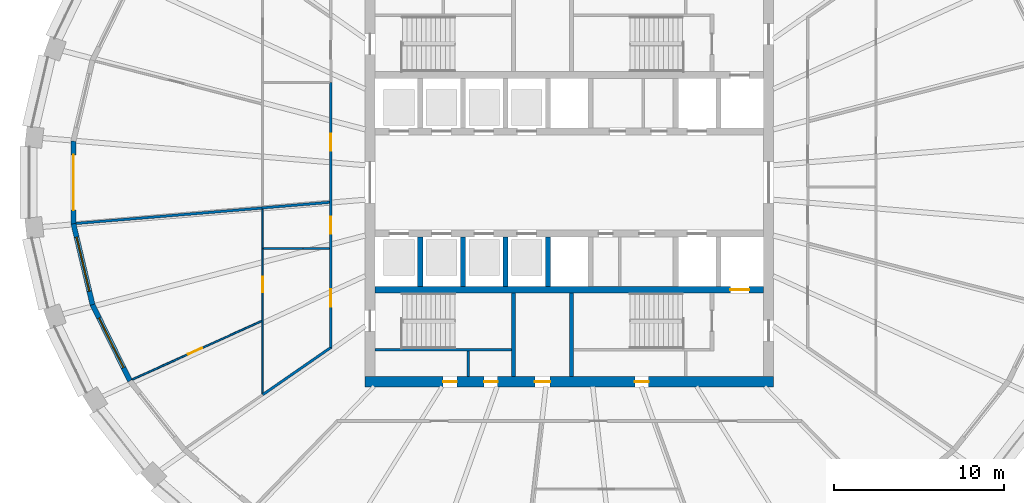
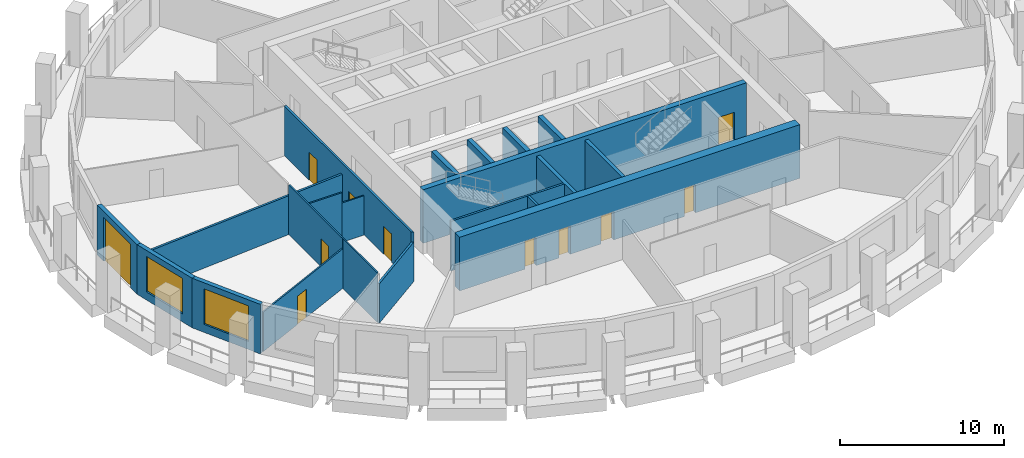
# One storey, part 3 of 11: 21 walls, 11 doors, 2 windows, 13 openings.
"""IFC4 building model written with IfcOpenShell, lengths in metres."""

from ifc_helpers import new_model, si_unit, direction, frame, frame_2d, origin, place, context, subcontext, project, spatial, polyline, rectangle, outline, extrude, material, layer, layer_set, type_object, element, fill, save


model = new_model("IFC4")

# Units and contexts
model_context = context("Model", 3, precision=1e-05, world=origin(), true_north=direction((0.0, 1.0)))
body_context = subcontext(model_context, "Body", "Model", "MODEL_VIEW")
ifc_project = project(units=[si_unit("LENGTHUNIT", "METRE"), si_unit("AREAUNIT", "SQUARE_METRE"), si_unit("VOLUMEUNIT", "CUBIC_METRE"), si_unit("PLANEANGLEUNIT", "RADIAN"), si_unit("MASSUNIT", "GRAM", prefix="KILO")], contexts=[model_context])

# Site, building, storey
site_placement = place(None, origin())
site = spatial("IfcSite", under=ifc_project, at=site_placement, CompositionType="ELEMENT")
building_placement = place(site_placement, origin())
building = spatial("IfcBuilding", under=site, at=building_placement, Name="Halqa Exchange Tower", CompositionType="ELEMENT")
storey_placement = place(building_placement, frame((0.0, 0.0, 222.89990234375)))
storey = spatial("IfcBuildingStorey", under=building, at=storey_placement, Name="L51", CompositionType="ELEMENT", Elevation=222.89990234375)

# Walls
ifc_material_1 = material(Name="Fire-rated gypsum board")
ifc_layer_1 = layer(ifc_material_1, 0.14990234375)
ifc_layer_set_1 = layer_set([ifc_layer_1], Name="Fire-rated gypsum board")
wall_type_1 = type_object("IfcWallType", Name="Fire partition EI 60 150", PredefinedType="PARTITIONING", material=ifc_layer_set_1)
wall_1_placement = place(storey_placement, frame((-18.0, -12.4599609375, 0.0), z_axis=(0.0, 0.0, 1.0), x_axis=(0.822102584422, 0.56933938972, 0.0)))
element("IfcWall", 1, at=wall_1_placement, inside=storey, type_object=wall_type_1, Name="L51-PWL-004", PredefinedType="PARTITIONING", context=body_context, shape_type="SweptSolid", body=[
    extrude(outline(polyline([(0.0, -0.074951171875), (1.634765625, -0.074951171875), (3.269775390625, -0.074951171875), (4.904541015625, -0.074951171875), (4.826171875, 0.074951171875), (3.21728515625, 0.074951171875), (1.608642578125, 0.074951171875), (0.0, 0.074951171875), (0.0, -0.074951171875)])), origin(), (0.0, 0.0, 1.0), 2.947021484375),
])
wall_2_placement = place(storey_placement, frame((-18.04931640625, -1.504150390625, 0.0), z_axis=(0.0, 0.0, 1.0), x_axis=(-0.996601116086, -0.082378488796, 0.0)))
element("IfcWall", 2, at=wall_2_placement, inside=storey, type_object=wall_type_1, Name="L51-PWL-007", PredefinedType="PARTITIONING", context=body_context, shape_type="SweptSolid", body=[
    extrude(outline(polyline([(10.935791015625, -0.074951171875), (10.935791015625, 0.0439453125), (10.93115234375, 0.074951171875), (9.1103515625, 0.074951171875), (7.289794921875, 0.074951171875), (5.468994140625, 0.074951171875), (3.648193359375, 0.074951171875), (1.82763671875, 0.074951171875), (0.0068359375, 0.074951171875), (0.0068359375, 0.074462890625), (0.001953125, 0.074951171875), (0.0, 0.074951171875), (0.0, -0.074951171875), (1.82275390625, -0.074951171875), (3.645263671875, -0.074951171875), (5.4677734375, -0.074951171875), (7.29052734375, -0.074951171875), (9.11328125, -0.074951171875), (10.935791015625, -0.074951171875)])), origin(), (0.0, 0.0, 1.0), 2.900146484375),
])

# Wall, openings, doors
wall_3_placement = place(storey_placement, frame((-14.0, -9.729248046875, 0.0), z_axis=(0.0, 0.0, 1.0), x_axis=(0.0, 1.0, 0.0)))
wall_3 = element("IfcWall", 3, at=wall_3_placement, inside=storey, type_object=wall_type_1, Name="L51-PWL-011", PredefinedType="PARTITIONING", context=body_context, shape_type="SweptSolid", body=[
    extrude(outline(polyline([(15.58935546875, 0.074951171875), (13.650390625, 0.074951171875), (11.711669921875, 0.074951171875), (9.772705078125, 0.074951171875), (7.833984375, 0.074951171875), (5.89501953125, 0.074951171875), (3.956298828125, 0.074951171875), (2.017333984375, 0.074951171875), (0.07861328125, 0.074951171875), (0.0, -0.074951171875), (0.0, -0.074951171875), (1.94873046875, -0.074951171875), (3.8974609375, -0.074951171875), (5.845947265625, -0.074951171875), (7.794677734375, -0.074951171875), (9.743408203125, -0.074951171875), (11.69189453125, -0.074951171875), (13.640625, -0.074951171875), (15.58935546875, -0.074951171875), (15.58935546875, 0.074951171875)])), origin(), (0.0, 0.0, 1.0), 3.7001953125),
])
opening_1_placement = place(wall_3_placement, frame((11.579345703125, 0.0, 0.0)))
opening_1 = element("IfcOpeningElement", 4, at=opening_1_placement, cuts=wall_3, Name="Opening 15-05", PredefinedType="OPENING", context=body_context, shape_type="SweptSolid", body=[
    extrude(rectangle(XDim=1.0, YDim=2.10009765625, at=frame_2d((0.5, 1.050048828125))), frame((0.0, 0.0869140625, 0.0), z_axis=(0.0, -1.0, 0.0), x_axis=(1.0, 0.0, 0.0)), (0.0, 0.0, 1.0), 0.173828125),
])
opening_2_placement = place(wall_3_placement, frame((2.44921875, 0.0, 0.0)))
opening_2 = element("IfcOpeningElement", 5, at=opening_2_placement, cuts=wall_3, Name="Opening 15-06", PredefinedType="OPENING", context=body_context, shape_type="SweptSolid", body=[
    extrude(rectangle(XDim=1.0, YDim=2.10009765625, at=frame_2d((0.5, 1.050048828125))), frame((0.0, 0.0869140625, 0.0), z_axis=(0.0, -1.0, 0.0), x_axis=(1.0, 0.0, 0.0)), (0.0, 0.0, 1.0), 0.173828125),
])
opening_3_placement = place(wall_3_placement, frame((6.71435546875, 0.0, 0.0)))
opening_3 = element("IfcOpeningElement", 6, at=opening_3_placement, cuts=wall_3, Name="Opening 15-07", PredefinedType="OPENING", context=body_context, shape_type="SweptSolid", body=[
    extrude(rectangle(XDim=1.0, YDim=2.10009765625, at=frame_2d((0.5, 1.050048828125))), frame((0.0, 0.0869140625, 0.0), z_axis=(0.0, -1.0, 0.0), x_axis=(1.0, 0.0, 0.0)), (0.0, 0.0, 1.0), 0.173828125),
])
ifc_material_2 = material(Name="Steel fire door leaf", Category="steel")
door_type_1 = type_object("IfcDoorType", Name="Fire door FD30S 1000 x 2100", OperationType="SINGLE_SWING_LEFT", PredefinedType="DOOR", material=ifc_material_2)
door_1_placement = place(opening_1_placement, origin())
door_1 = element("IfcDoor", 7, at=door_1_placement, inside=storey, type_object=door_type_1, Name="L51-IDR-005", OperationType="SINGLE_SWING_LEFT", OverallHeight=2.10009765625, OverallWidth=1.0, PredefinedType="DOOR", context=body_context, shape_type="SweptSolid", body=[
    extrude(rectangle(XDim=1.0, YDim=2.10009765625, at=frame_2d((0.5, 1.050048828125))), frame((0.0, 0.02490234375, 0.0), z_axis=(0.0, -1.0, 0.0), x_axis=(1.0, 0.0, 0.0)), (0.0, 0.0, 1.0), 0.050048828125),
])
fill(opening_1, door_1)
door_2_placement = place(opening_2_placement, origin())
door_2 = element("IfcDoor", 8, at=door_2_placement, inside=storey, type_object=door_type_1, Name="L51-IDR-006", OperationType="SINGLE_SWING_LEFT", OverallHeight=2.10009765625, OverallWidth=1.0, PredefinedType="DOOR", context=body_context, shape_type="SweptSolid", body=[
    extrude(rectangle(XDim=1.0, YDim=2.10009765625, at=frame_2d((0.5, 1.050048828125))), frame((0.0, 0.02490234375, 0.0), z_axis=(0.0, -1.0, 0.0), x_axis=(1.0, 0.0, 0.0)), (0.0, 0.0, 1.0), 0.050048828125),
])
fill(opening_2, door_2)
door_3_placement = place(opening_3_placement, origin())
door_3 = element("IfcDoor", 9, at=door_3_placement, inside=storey, type_object=door_type_1, Name="L51-IDR-007", OperationType="SINGLE_SWING_LEFT", OverallHeight=2.10009765625, OverallWidth=1.0, PredefinedType="DOOR", context=body_context, shape_type="SweptSolid", body=[
    extrude(rectangle(XDim=1.0, YDim=2.10009765625, at=frame_2d((0.5, 1.050048828125))), frame((0.0, 0.02490234375, 0.0), z_axis=(0.0, -1.0, 0.0), x_axis=(1.0, 0.0, 0.0)), (0.0, 0.0, 1.0), 0.050048828125),
])
fill(opening_3, door_3)

# Wall
wall_4_placement = place(storey_placement, frame((-14.0693359375, -1.165771484375, 0.0), z_axis=(0.0, 0.0, 1.0), x_axis=(-0.996614549641, -0.082215810186, 0.0)))
element("IfcWall", 10, at=wall_4_placement, inside=storey, type_object=wall_type_1, Name="L51-PWL-012", PredefinedType="PARTITIONING", context=body_context, shape_type="SweptSolid", body=[
    extrude(outline(polyline([(0.0, -0.074951171875), (1.94384765625, -0.074951171875), (3.8876953125, -0.074951171875), (3.88818359375, -0.067138671875), (3.982421875, -0.074951171875), (3.993896484375, -0.074951171875), (3.993896484375, 0.074951171875), (2.0029296875, 0.074951171875), (0.011962890625, 0.074951171875), (0.0, -0.06884765625), (0.0, -0.074951171875)])), origin(), (0.0, 0.0, 1.0), 2.900146484375),
])

# Wall, opening, door
ifc_material_3 = material(Name="Gypsum board")
ifc_layer_2 = layer(ifc_material_3, 0.10009765625)
ifc_layer_set_2 = layer_set([ifc_layer_2], Name="Gypsum board")
wall_type_2 = type_object("IfcWallType", Name="Partition 100 gypsum", PredefinedType="PARTITIONING", material=ifc_layer_set_2)
wall_5_placement = place(storey_placement, frame((-18.0, -12.42138671875, 0.0), z_axis=(0.0, 0.0, 1.0), x_axis=(0.0, 1.0, 0.0)))
wall_5 = element("IfcWall", 11, at=wall_5_placement, inside=storey, type_object=wall_type_2, Name="L51-PWL-003", PredefinedType="PARTITIONING", context=body_context, shape_type="SweptSolid", body=[
    extrude(outline(polyline([(0.08740234375, -0.050048828125), (1.77001953125, -0.050048828125), (3.452880859375, -0.050048828125), (5.1357421875, -0.050048828125), (6.818603515625, -0.050048828125), (8.50146484375, -0.050048828125), (8.50146484375, -0.050048828125), (8.601318359375, -0.050048828125), (8.601318359375, -0.050048828125), (10.84228515625, -0.050048828125), (10.84228515625, 0.046142578125), (10.842041015625, 0.050048828125), (9.19140625, 0.050048828125), (7.541015625, 0.050048828125), (5.890380859375, 0.050048828125), (4.239990234375, 0.050048828125), (4.235107421875, 0.0478515625), (4.23388671875, 0.050048828125), (2.82275390625, 0.050048828125), (1.411376953125, 0.050048828125), (0.0, 0.050048828125), (0.0, 0.049560546875), (0.0107421875, 0.0341796875), (0.023193359375, 0.042724609375), (0.08740234375, -0.050048828125)])), origin(), (0.0, 0.0, 1.0), 3.7001953125),
])
opening_4_placement = place(wall_5_placement, frame((5.9814453125, 0.0, 0.0)))
opening_4 = element("IfcOpeningElement", 12, at=opening_4_placement, cuts=wall_5, Name="Opening 15-17", PredefinedType="OPENING", context=body_context, shape_type="SweptSolid", body=[
    extrude(rectangle(XDim=0.89990234375, YDim=2.10009765625, at=frame_2d((0.449951171875, 1.050048828125))), frame((0.0, 0.06201171875, 0.0), z_axis=(0.0, -1.0, 0.0), x_axis=(1.0, 0.0, 0.0)), (0.0, 0.0, 1.0), 0.1240234375),
])
ifc_material_4 = material(Name="Timber door leaf", Category="wood")
door_type_2 = type_object("IfcDoorType", Name="Door 900 x 2100", OperationType="SINGLE_SWING_LEFT", PredefinedType="DOOR", material=ifc_material_4)
door_4_placement = place(opening_4_placement, frame((0.89990234375, 0.0, 0.0), z_axis=(0.0, 0.0, 1.0), x_axis=(-1.0, 0.0, 0.0)))
door_4 = element("IfcDoor", 13, at=door_4_placement, inside=storey, type_object=door_type_2, Name="L51-IDR-017", OperationType="SINGLE_SWING_RIGHT", OverallHeight=2.10009765625, OverallWidth=0.89990234375, PredefinedType="DOOR", context=body_context, shape_type="SweptSolid", body=[
    extrude(rectangle(XDim=0.89990234375, YDim=2.10009765625, at=frame_2d((0.449951171875, 1.050048828125))), frame((0.0, 0.02490234375, 0.0), z_axis=(0.0, -1.0, 0.0), x_axis=(1.0, 0.0, 0.0)), (0.0, 0.0, 1.0), 0.050048828125),
])
fill(opening_4, door_4)

wall_6_placement = place(storey_placement, frame((-18.029541015625, -8.123291015625, 0.0), z_axis=(0.0, 0.0, 1.0), x_axis=(-0.911431984772, -0.411450771216, 0.0)))
wall_6 = element("IfcWall", 14, at=wall_6_placement, inside=storey, type_object=wall_type_2, Name="L51-PWL-005", PredefinedType="PARTITIONING", context=body_context, shape_type="SweptSolid", body=[
    extrude(outline(polyline([(8.372314453125, -0.050048828125), (8.372314453125, -0.0419921875), (8.370849609375, -0.000244140625), (8.3583984375, 0.050048828125), (6.69580078125, 0.050048828125), (5.032958984375, 0.050048828125), (3.370361328125, 0.050048828125), (1.707763671875, 0.050048828125), (0.044921875, 0.050048828125), (0.0, -0.0498046875), (0.0, -0.050048828125), (1.674560546875, -0.050048828125), (3.348876953125, -0.050048828125), (5.0234375, -0.050048828125), (6.69775390625, -0.050048828125), (8.372314453125, -0.050048828125)])), origin(), (0.0, 0.0, 1.0), 2.947021484375),
])
opening_5_placement = place(wall_6_placement, frame((3.867919921875, 0.0, 0.0)))
opening_5 = element("IfcOpeningElement", 15, at=opening_5_placement, cuts=wall_6, Name="Opening 15-18", PredefinedType="OPENING", context=body_context, shape_type="SweptSolid", body=[
    extrude(rectangle(XDim=0.89990234375, YDim=2.10009765625, at=frame_2d((0.449951171875, 1.050048828125))), frame((0.0, 0.06201171875, 0.0), z_axis=(0.0, -1.0, 0.0), x_axis=(1.0, 0.0, 0.0)), (0.0, 0.0, 1.0), 0.1240234375),
])
door_5_placement = place(opening_5_placement, origin())
door_5 = element("IfcDoor", 16, at=door_5_placement, inside=storey, type_object=door_type_2, Name="L51-IDR-018", OperationType="SINGLE_SWING_LEFT", OverallHeight=2.10009765625, OverallWidth=0.89990234375, PredefinedType="DOOR", context=body_context, shape_type="SweptSolid", body=[
    extrude(rectangle(XDim=0.89990234375, YDim=2.10009765625, at=frame_2d((0.449951171875, 1.050048828125))), frame((0.0, 0.02490234375, 0.0), z_axis=(0.0, -1.0, 0.0), x_axis=(1.0, 0.0, 0.0)), (0.0, 0.0, 1.0), 0.050048828125),
])
fill(opening_5, door_5)

# Walls
wall_7_placement = place(storey_placement, frame((-17.949951171875, -3.8701171875, 0.0), z_axis=(0.0, 0.0, 1.0), x_axis=(1.0, 0.0, 0.0)))
element("IfcWall", 17, at=wall_7_placement, inside=storey, type_object=wall_type_2, Name="L51-PWL-006", PredefinedType="PARTITIONING", context=body_context, shape_type="SweptSolid", body=[
    extrude(rectangle(XDim=2.321044921875, YDim=0.10009765625, at=frame_2d((1.16064453125, 0.0))), origin(), (0.0, 0.0, 1.0), 3.7001953125),
])
wall_8_placement = place(storey_placement, frame((-15.62890625, -3.8701171875, 0.0), z_axis=(0.0, 0.0, 1.0), x_axis=(1.0, 0.0, 0.0)))
element("IfcWall", 18, at=wall_8_placement, inside=storey, type_object=wall_type_2, Name="L51-PWL-040", PredefinedType="PARTITIONING", context=body_context, shape_type="SweptSolid", body=[
    extrude(rectangle(XDim=1.553955078125, YDim=0.10009765625, at=frame_2d((0.77685546875, 0.0))), origin(), (0.0, 0.0, 1.0), 2.93017578125),
])
ifc_layer_3 = layer(ifc_material_3, 0.14990234375)
ifc_layer_set_3 = layer_set([ifc_layer_3], Name="Gypsum board")
wall_type_3 = type_object("IfcWallType", Name="Penthouse riser wall 150 gypsum", PredefinedType="PARTITIONING", material=ifc_layer_set_3)
wall_9_placement = place(storey_placement, frame((-5.925048828125, -11.39990234375, 0.0), z_axis=(0.0, 0.0, 1.0), x_axis=(0.0, 1.0, 0.0)))
element("IfcWall", 19, at=wall_9_placement, inside=storey, type_object=wall_type_3, Name="Partition W5.925 S", PredefinedType="PARTITIONING", context=body_context, shape_type="SweptSolid", body=[
    extrude(rectangle(XDim=1.5, YDim=0.14990234375, at=frame_2d((0.75, 0.0))), origin(), (0.0, 0.0, 1.0), 3.7001953125),
])
ifc_material_5 = material(Name="Concrete C60/75", Category="concrete")
ifc_layer_4 = layer(ifc_material_5, 0.300048828125)
ifc_layer_set_4 = layer_set([ifc_layer_4], Name="Concrete C60/75")
wall_type_4 = type_object("IfcWallType", Name="RC core wall 300", PredefinedType="SHEAR", material=ifc_layer_set_4)
for number, where, z_axis, x_axis, name in (
    (20, (-8.75, -6.10009765625, 0.0), (0.0, 0.0, 1.0), (0.0, 1.0, 0.0), "Shaft divider S1"),
    (21, (-6.25, -6.10009765625, 0.0), (0.0, 0.0, 1.0), (0.0, 1.0, 0.0), "Shaft divider S2"),
    (22, (-3.75, -6.10009765625, 0.0), (0.0, 0.0, 1.0), (0.0, 1.0, 0.0), "Shaft divider S3"),
    (23, (-1.25, -6.10009765625, 0.0), (0.0, 0.0, 1.0), (0.0, 1.0, 0.0), "Shaft divider S4"),
):
    element("IfcWall", number, at=place(storey_placement, frame(where, z_axis=z_axis, x_axis=x_axis)), inside=storey, type_object=wall_type_4, Name=name, PredefinedType="SHEAR", context=body_context, shape_type="SweptSolid", body=[
        extrude(rectangle(XDim=2.900146484375, YDim=0.300048828125, at=frame_2d((1.4501953125, 0.0))), origin(), (0.0, 0.0, 1.0), 4.0),
    ])

# Wall, opening, door
ifc_material_6 = material(Name="Concrete C70/85", Category="concrete")
ifc_layer_5 = layer(ifc_material_6, 0.39990234375)
ifc_layer_set_5 = layer_set([ifc_layer_5], Name="Concrete C70/85")
wall_type_5 = type_object("IfcWallType", Name="RC core wall 400 C70/85", PredefinedType="SHEAR", material=ifc_layer_set_5)
wall_10_placement = place(storey_placement, frame((-11.39990234375, -6.300048828125, 0.0), z_axis=(0.0, 0.0, 1.0), x_axis=(1.0, 0.0, 0.0)))
wall_10 = element("IfcWall", 24, at=wall_10_placement, inside=storey, type_object=wall_type_5, Name="Lift row back wall S", PredefinedType="SHEAR", context=body_context, shape_type="SweptSolid", body=[
    extrude(rectangle(XDim=22.7998046875, YDim=0.39990234375, at=frame_2d((11.39990234375, 0.0))), origin(), (0.0, 0.0, 1.0), 4.0),
])
opening_6_placement = place(wall_10_placement, frame((20.85009765625, 0.0, 0.0)))
opening_6 = element("IfcOpeningElement", 25, at=opening_6_placement, cuts=wall_10, Name="Opening LD-FF2-T15", PredefinedType="OPENING", context=body_context, shape_type="SweptSolid", body=[
    extrude(rectangle(XDim=1.10009765625, YDim=2.10009765625, at=frame_2d((0.550048828125, 1.050048828125))), frame((0.0, 0.2119140625, 0.0), z_axis=(0.0, -1.0, 0.0), x_axis=(1.0, 0.0, 0.0)), (0.0, 0.0, 1.0), 0.423828125),
])
ifc_material_7 = material(Name="Stainless steel", Category="steel")
door_type_3 = type_object("IfcDoorType", Name="Lift landing door 1100 x 2100", OperationType="SLIDING_TO_LEFT", PredefinedType="DOOR", material=ifc_material_7)
door_6_placement = place(opening_6_placement, origin())
door_6 = element("IfcDoor", 26, at=door_6_placement, inside=storey, type_object=door_type_3, Name="Lift landing door FF2", OperationType="SLIDING_TO_LEFT", OverallHeight=2.10009765625, OverallWidth=1.10009765625, PredefinedType="DOOR", context=body_context, shape_type="SweptSolid", body=[
    extrude(rectangle(XDim=1.10009765625, YDim=2.10009765625, at=frame_2d((0.550048828125, 1.050048828125))), frame((0.0, 0.02490234375, 0.0), z_axis=(0.0, -1.0, 0.0), x_axis=(1.0, 0.0, 0.0)), (0.0, 0.0, 1.0), 0.050048828125),
])
fill(opening_6, door_6)

# Wall, openings, doors
ifc_layer_6 = layer(ifc_material_6, 0.60009765625)
ifc_layer_set_6 = layer_set([ifc_layer_6], Name="Concrete C70/85")
wall_type_6 = type_object("IfcWallType", Name="RC core wall 600 C70/85", PredefinedType="SHEAR", material=ifc_layer_set_6)
wall_11_placement = place(storey_placement, frame((-12.0, -11.699951171875, 0.0), z_axis=(0.0, 0.0, 1.0), x_axis=(1.0, 0.0, 0.0)))
wall_11 = element("IfcWall", 27, at=wall_11_placement, inside=storey, type_object=wall_type_6, Name="Core wall south", PredefinedType="SHEAR", context=body_context, shape_type="SweptSolid", body=[
    extrude(rectangle(XDim=24.0, YDim=0.60009765625, at=frame_2d((12.0, 0.0))), origin(), (0.0, 0.0, 1.0), 4.0),
])
opening_7_placement = place(wall_11_placement, frame((9.97509765625, 0.0, 0.0)))
opening_7 = element("IfcOpeningElement", 28, at=opening_7_placement, cuts=wall_11, Name="Opening T15-C25", PredefinedType="OPENING", context=body_context, shape_type="SweptSolid", body=[
    extrude(rectangle(XDim=0.89990234375, YDim=2.10009765625, at=frame_2d((0.449951171875, 1.050048828125))), frame((0.0, 0.31201171875, 0.0), z_axis=(0.0, -1.0, 0.0), x_axis=(1.0, 0.0, 0.0)), (0.0, 0.0, 1.0), 0.6240234375),
])
opening_8_placement = place(wall_11_placement, frame((4.60009765625, 0.0, 0.0)))
opening_8 = element("IfcOpeningElement", 29, at=opening_8_placement, cuts=wall_11, Name="Opening T15-C26", PredefinedType="OPENING", context=body_context, shape_type="SweptSolid", body=[
    extrude(rectangle(XDim=0.800048828125, YDim=2.10009765625, at=frame_2d((0.39990234375, 1.050048828125))), frame((0.0, 0.31201171875, 0.0), z_axis=(0.0, -1.0, 0.0), x_axis=(1.0, 0.0, 0.0)), (0.0, 0.0, 1.0), 0.6240234375),
])
opening_9_placement = place(wall_11_placement, frame((7.0, 0.0, 0.0)))
opening_9 = element("IfcOpeningElement", 30, at=opening_9_placement, cuts=wall_11, Name="Opening T15-C27", PredefinedType="OPENING", context=body_context, shape_type="SweptSolid", body=[
    extrude(rectangle(XDim=0.800048828125, YDim=2.10009765625, at=frame_2d((0.39990234375, 1.050048828125))), frame((0.0, 0.31201171875, 0.0), z_axis=(0.0, -1.0, 0.0), x_axis=(1.0, 0.0, 0.0)), (0.0, 0.0, 1.0), 0.6240234375),
])
opening_10_placement = place(wall_11_placement, frame((15.85009765625, 0.0, 0.0)))
opening_10 = element("IfcOpeningElement", 31, at=opening_10_placement, cuts=wall_11, Name="Opening T15-C28", PredefinedType="OPENING", context=body_context, shape_type="SweptSolid", body=[
    extrude(rectangle(XDim=0.800048828125, YDim=2.10009765625, at=frame_2d((0.39990234375, 1.050048828125))), frame((0.0, 0.31201171875, 0.0), z_axis=(0.0, -1.0, 0.0), x_axis=(1.0, 0.0, 0.0)), (0.0, 0.0, 1.0), 0.6240234375),
])
ifc_material_8 = material(Name="Timber fire door leaf", Category="wood")
door_type_4 = type_object("IfcDoorType", Name="Core room door FD30 900 x 2100", OperationType="SINGLE_SWING_LEFT", PredefinedType="DOOR", material=ifc_material_8)
door_7_placement = place(opening_7_placement, origin())
door_7 = element("IfcDoor", 32, at=door_7_placement, inside=storey, type_object=door_type_4, Name="Core room door", OperationType="SINGLE_SWING_RIGHT", OverallHeight=2.10009765625, OverallWidth=0.89990234375, PredefinedType="DOOR", context=body_context, shape_type="SweptSolid", body=[
    extrude(rectangle(XDim=0.89990234375, YDim=2.10009765625, at=frame_2d((0.449951171875, 1.050048828125))), frame((0.0, 0.02490234375, 0.0), z_axis=(0.0, -1.0, 0.0), x_axis=(1.0, 0.0, 0.0)), (0.0, 0.0, 1.0), 0.050048828125),
])
fill(opening_7, door_7)
door_type_5 = type_object("IfcDoorType", Name="Riser door FD60 800 x 2100", OperationType="SINGLE_SWING_LEFT", PredefinedType="DOOR", material=ifc_material_2)
door_8_placement = place(opening_8_placement, origin())
door_8 = element("IfcDoor", 33, at=door_8_placement, inside=storey, type_object=door_type_5, Name="Core room door", OperationType="SINGLE_SWING_LEFT", OverallHeight=2.10009765625, OverallWidth=0.800048828125, PredefinedType="DOOR", context=body_context, shape_type="SweptSolid", body=[
    extrude(rectangle(XDim=0.800048828125, YDim=2.10009765625, at=frame_2d((0.39990234375, 1.050048828125))), frame((0.0, 0.02490234375, 0.0), z_axis=(0.0, -1.0, 0.0), x_axis=(1.0, 0.0, 0.0)), (0.0, 0.0, 1.0), 0.050048828125),
])
fill(opening_8, door_8)
door_9_placement = place(opening_9_placement, origin())
door_9 = element("IfcDoor", 34, at=door_9_placement, inside=storey, type_object=door_type_5, Name="Core room door", OperationType="SINGLE_SWING_RIGHT", OverallHeight=2.10009765625, OverallWidth=0.800048828125, PredefinedType="DOOR", context=body_context, shape_type="SweptSolid", body=[
    extrude(rectangle(XDim=0.800048828125, YDim=2.10009765625, at=frame_2d((0.39990234375, 1.050048828125))), frame((0.0, 0.02490234375, 0.0), z_axis=(0.0, -1.0, 0.0), x_axis=(1.0, 0.0, 0.0)), (0.0, 0.0, 1.0), 0.050048828125),
])
fill(opening_9, door_9)
door_10_placement = place(opening_10_placement, origin())
door_10 = element("IfcDoor", 35, at=door_10_placement, inside=storey, type_object=door_type_5, Name="Core room door", OperationType="SINGLE_SWING_LEFT", OverallHeight=2.10009765625, OverallWidth=0.800048828125, PredefinedType="DOOR", context=body_context, shape_type="SweptSolid", body=[
    extrude(rectangle(XDim=0.800048828125, YDim=2.10009765625, at=frame_2d((0.39990234375, 1.050048828125))), frame((0.0, 0.02490234375, 0.0), z_axis=(0.0, -1.0, 0.0), x_axis=(1.0, 0.0, 0.0)), (0.0, 0.0, 1.0), 0.050048828125),
])
fill(opening_10, door_10)

# Walls
ifc_material_9 = material(Name="Concrete C30/37", Category="concrete")
ifc_layer_7 = layer(ifc_material_9, 0.14990234375)
ifc_layer_set_7 = layer_set([ifc_layer_7], Name="Concrete C30/37")
wall_type_7 = type_object("IfcWallType", Name="RC stair wall 150 C30/37", PredefinedType="SHEAR", material=ifc_layer_set_7)
wall_12_placement = place(storey_placement, frame((-11.39990234375, -9.824951171875, 0.0), z_axis=(0.0, 0.0, 1.0), x_axis=(1.0, 0.0, 0.0)))
element("IfcWall", 36, at=wall_12_placement, inside=storey, type_object=wall_type_7, Name="Stair ST1 north wall S", PredefinedType="SHEAR", context=body_context, shape_type="SweptSolid", body=[
    extrude(rectangle(XDim=8.0, YDim=0.14990234375, at=frame_2d((4.0, 0.0))), origin(), (0.0, 0.0, 1.0), 3.7001953125),
])
ifc_layer_8 = layer(ifc_material_9, 0.25)
ifc_layer_set_8 = layer_set([ifc_layer_8], Name="Concrete C30/37")
wall_type_8 = type_object("IfcWallType", Name="RC stair wall 250 C30/37", PredefinedType="SHEAR", material=ifc_layer_set_8)
for number, where, z_axis, x_axis, name in (
    (37, (-3.27490234375, -11.39990234375, 0.0), (0.0, 0.0, 1.0), (0.0, 1.0, 0.0), "Stair ST1 east wall S"),
    (38, (0.125, -11.39990234375, 0.0), (0.0, 0.0, 1.0), (0.0, 1.0, 0.0), "Stair ST2 west wall S"),
):
    element("IfcWall", number, at=place(storey_placement, frame(where, z_axis=z_axis, x_axis=x_axis)), inside=storey, type_object=wall_type_8, Name=name, PredefinedType="SHEAR", context=body_context, shape_type="SweptSolid", body=[
        extrude(rectangle(XDim=4.89990234375, YDim=0.25, at=frame_2d((2.449951171875, 0.0))), origin(), (0.0, 0.0, 1.0), 3.7001953125),
    ])

# Wall, opening, door
ifc_material_10 = material(Name="Limestone cladding", Category="masonry")
ifc_layer_9 = layer(ifc_material_10, 0.0400390625)
ifc_material_11 = material(Name="Ventilated cavity")
ifc_layer_10 = layer(ifc_material_11, 0.030029296875, ventilated=True)
ifc_material_12 = material(Name="Mineral wool insulation")
ifc_layer_11 = layer(ifc_material_12, 0.10009765625)
ifc_layer_12 = layer(ifc_material_9, 0.10009765625)
ifc_material_13 = material(Name="Internal plaster")
ifc_layer_13 = layer(ifc_material_13, 0.030029296875)
ifc_layer_set_9 = layer_set([ifc_layer_9, ifc_layer_10, ifc_layer_11, ifc_layer_12, ifc_layer_13], Name="Stone-faced insulated wall 300")
wall_type_9 = type_object("IfcWallType", Name="Stone-faced insulated wall 300", PredefinedType="STANDARD", material=ifc_layer_set_9)
wall_13_placement = place(storey_placement, frame((-29.1044921875, 2.422607421875, 0.0), z_axis=(0.0, 0.0, 1.0), x_axis=(0.0, -1.0, 0.0)))
wall_13 = element("IfcWall", 39, at=wall_13_placement, inside=storey, type_object=wall_type_9, Name="Glass-line wall 16", PredefinedType="STANDARD", context=body_context, shape_type="SweptSolid", body=[
    extrude(outline(polyline([(-0.017333984375, -0.14990234375), (4.862548828125, -0.14990234375), (4.827880859375, 0.14990234375), (0.017333984375, 0.14990234375), (-0.017333984375, -0.14990234375)])), origin(), (0.0, 0.0, 1.0), 3.7001953125),
])
opening_11_placement = place(wall_13_placement, frame((0.797607421875, 0.0, 0.0)))
opening_11 = element("IfcOpeningElement", 40, at=opening_11_placement, cuts=wall_13, Name="Opening LG-F3-04", PredefinedType="OPENING", context=body_context, shape_type="SweptSolid", body=[
    extrude(rectangle(XDim=3.25, YDim=3.25, at=frame_2d((1.625, 1.625))), frame((0.0, 0.162109375, 0.0), z_axis=(0.0, -1.0, 0.0), x_axis=(1.0, 0.0, 0.0)), (0.0, 0.0, 1.0), 0.323974609375),
])
ifc_material_14 = material(Name="Clear low-emissivity glass in aluminium frame", Category="aluminium")
door_type_6 = type_object("IfcDoorType", Name="Glazed sliding loggia door 3250 x 3250", OperationType="DOUBLE_DOOR_SLIDING", PredefinedType="DOOR", material=ifc_material_14)
door_11_placement = place(opening_11_placement, origin())
door_11 = element("IfcDoor", 41, at=door_11_placement, inside=storey, type_object=door_type_6, Name="Loggia door 4", OperationType="DOUBLE_DOOR_SLIDING", OverallHeight=3.25, OverallWidth=3.25, PredefinedType="DOOR", context=body_context, shape_type="SweptSolid", body=[
    extrude(rectangle(XDim=3.25, YDim=3.25, at=frame_2d((1.625, 1.625))), frame((0.0, 0.02490234375, 0.0), z_axis=(0.0, -1.0, 0.0), x_axis=(1.0, 0.0, 0.0)), (0.0, 0.0, 1.0), 0.050048828125),
])
fill(opening_11, door_11)

# Wall, opening, window
wall_14_placement = place(storey_placement, frame((-29.1044921875, -2.422607421875, 0.0), z_axis=(0.0, 0.0, 1.0), x_axis=(0.229546618766, -0.97329766763, 0.0)))
wall_14 = element("IfcWall", 42, at=wall_14_placement, inside=storey, type_object=wall_type_9, Name="Glass-line wall 17", PredefinedType="STANDARD", context=body_context, shape_type="SweptSolid", body=[
    extrude(outline(polyline([(-0.017333984375, -0.14990234375), (4.898681640625, -0.14990234375), (4.864990234375, 0.14990234375), (0.017333984375, 0.14990234375), (-0.017333984375, -0.14990234375)])), origin(), (0.0, 0.0, 1.0), 3.7001953125),
])
opening_12_placement = place(wall_14_placement, frame((0.81591796875, 0.0, 0.60009765625)))
opening_12 = element("IfcOpeningElement", 43, at=opening_12_placement, cuts=wall_14, Name="Opening W-F3-17", PredefinedType="OPENING", context=body_context, shape_type="SweptSolid", body=[
    extrude(rectangle(XDim=3.25, YDim=2.64990234375, at=frame_2d((1.625, 1.324951171875))), frame((0.0, 0.162109375, 0.0), z_axis=(0.0, -1.0, 0.0), x_axis=(1.0, 0.0, 0.0)), (0.0, 0.0, 1.0), 0.323974609375),
])
window_type = type_object("IfcWindowType", Name="Fixed clear glazed window 3250 x 2650", PartitioningType="TRIPLE_PANEL_VERTICAL", PredefinedType="WINDOW", material=ifc_material_14)
window_1_placement = place(opening_12_placement, origin())
window_1 = element("IfcWindow", 44, at=window_1_placement, inside=storey, type_object=window_type, Name="Window 3", OverallHeight=2.64990234375, OverallWidth=3.25, PartitioningType="TRIPLE_PANEL_VERTICAL", PredefinedType="WINDOW", context=body_context, shape_type="SweptSolid", body=[
    extrude(rectangle(XDim=3.25, YDim=2.64990234375, at=frame_2d((1.625, 1.324951171875))), frame((0.0, 0.030029296875, 0.0), z_axis=(0.0, -1.0, 0.0), x_axis=(1.0, 0.0, 0.0)), (0.0, 0.0, 1.0), 0.06005859375),
])
fill(opening_12, window_1)

wall_15_placement = place(storey_placement, frame((-27.98388671875, -7.174072265625, 0.0), z_axis=(0.0, 0.0, 1.0), x_axis=(0.440795186599, -0.897607711348, 0.0)))
wall_15 = element("IfcWall", 45, at=wall_15_placement, inside=storey, type_object=wall_type_9, Name="Glass-line wall 18", PredefinedType="STANDARD", context=body_context, shape_type="SweptSolid", body=[
    extrude(outline(polyline([(-0.016845703125, -0.14990234375), (5.000244140625, -0.14990234375), (4.968017578125, 0.14990234375), (0.016845703125, 0.14990234375), (-0.016845703125, -0.14990234375)])), origin(), (0.0, 0.0, 1.0), 3.7001953125),
])
opening_13_placement = place(wall_15_placement, frame((0.8671875, 0.0, 0.60009765625)))
opening_13 = element("IfcOpeningElement", 46, at=opening_13_placement, cuts=wall_15, Name="Opening W-F3-18", PredefinedType="OPENING", context=body_context, shape_type="SweptSolid", body=[
    extrude(rectangle(XDim=3.25, YDim=2.64990234375, at=frame_2d((1.625, 1.324951171875))), frame((0.0, 0.162109375, 0.0), z_axis=(0.0, -1.0, 0.0), x_axis=(1.0, 0.0, 0.0)), (0.0, 0.0, 1.0), 0.323974609375),
])
window_2_placement = place(opening_13_placement, origin())
window_2 = element("IfcWindow", 47, at=window_2_placement, inside=storey, type_object=window_type, Name="Window 3", OverallHeight=2.64990234375, OverallWidth=3.25, PartitioningType="TRIPLE_PANEL_VERTICAL", PredefinedType="WINDOW", context=body_context, shape_type="SweptSolid", body=[
    extrude(rectangle(XDim=3.25, YDim=2.64990234375, at=frame_2d((1.625, 1.324951171875))), frame((0.0, 0.030029296875, 0.0), z_axis=(0.0, -1.0, 0.0), x_axis=(1.0, 0.0, 0.0)), (0.0, 0.0, 1.0), 0.06005859375),
])
fill(opening_13, window_2)

save(model, "model.ifc")
